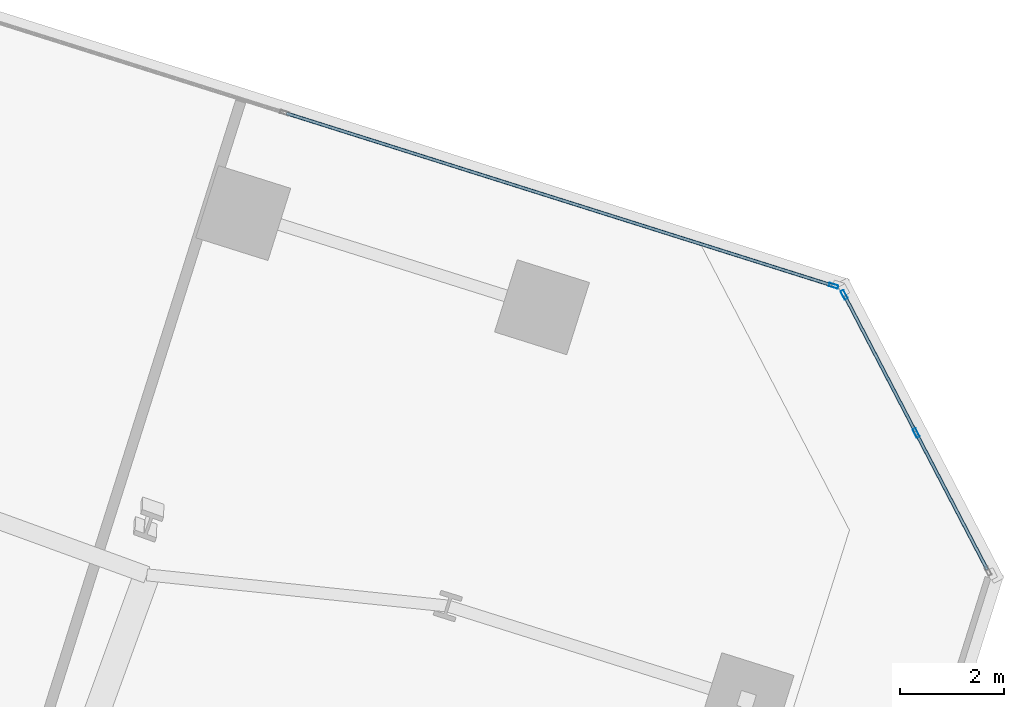
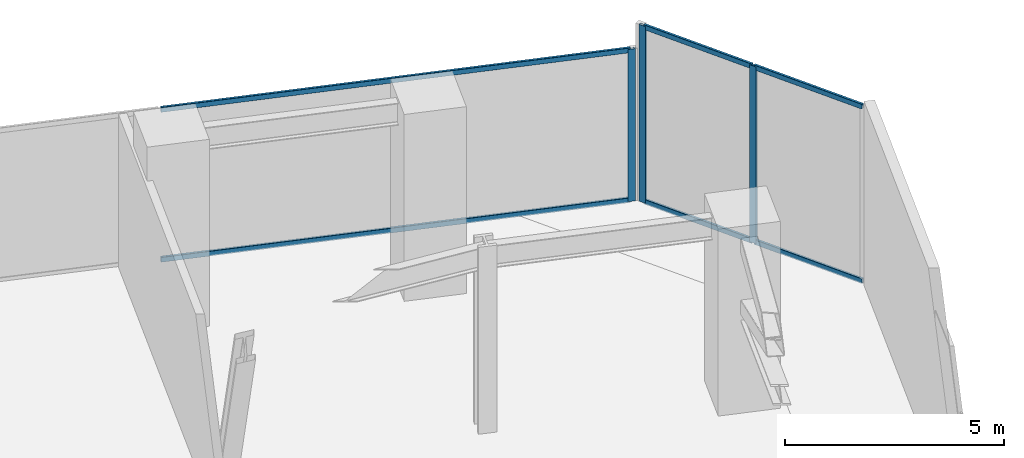
# One storey, part 13 of 29: 9 members, 2 elements without a shape of their own.
"""IFC4 building model written with IfcOpenShell, lengths in metres."""

from ifc_helpers import new_model, si_unit, direction, frame, origin, origin_2d, place, context, subcontext, project, spatial, hollow_rectangle, extrude, source, transform, mapped, material, material_profile, profile_set, type_object, element, aggregate, save


model = new_model("IFC4")

# Units and contexts
model_context = context("Model", 3, precision=1e-05, world=origin(), true_north=direction((0.0, 1.0)))
body_context = subcontext(model_context, "Body", "Model", "MODEL_VIEW")
ifc_project = project(units=[si_unit("LENGTHUNIT", "METRE"), si_unit("AREAUNIT", "SQUARE_METRE"), si_unit("VOLUMEUNIT", "CUBIC_METRE"), si_unit("PLANEANGLEUNIT", "RADIAN"), si_unit("MASSUNIT", "GRAM", prefix="KILO")], contexts=[model_context])

# Site, building, storey
site_placement = place(None, origin())
site = spatial("IfcSite", under=ifc_project, at=site_placement, CompositionType="ELEMENT")
building_placement = place(site_placement, origin())
building = spatial("IfcBuilding", under=site, at=building_placement, Name="Torre Montelarca", CompositionType="ELEMENT")
storey_placement = place(building_placement, frame((0.0, 0.0, 122.199951171875)))
storey = spatial("IfcBuildingStorey", under=building, at=storey_placement, Name="L27", CompositionType="ELEMENT", Elevation=122.199951171875)

# Curtain wall, members
ifc_material_1 = material(Name="Insulated low-E laminated glass", Category="glass")
curtain_wall_type = type_object("IfcCurtainWallType", Name="CW-SYS-Z1", PredefinedType="USERDEFINED", material=ifc_material_1)
curtain_wall_1_placement = place(storey_placement, origin())
curtain_wall_1 = element("IfcCurtainWall", 1, at=curtain_wall_1_placement, inside=storey, type_object=curtain_wall_type, Name="L27 Curtain Wall Run CW-T3-L27-E07-B1", ObjectType="UNITISED GLAZING", PredefinedType="USERDEFINED")
ifc_material_2 = material(Name="Anodised aluminium AA 6063-T6", Category="aluminium")
ifc_material_profile_1 = material_profile(ifc_material_2, hollow_rectangle(XDim=0.06494140625, YDim=0.139892578125, WallThickness=0.00390625, InnerFilletRadius=0.00390625, OuterFilletRadius=0.008056640625, at=origin_2d()), Name="ALU65X140X4", Category="aluminium")
ifc_profile_set_1 = profile_set([ifc_material_profile_1], Name="Anodised aluminium AA 6063-T6")
member_type_1 = type_object("IfcMemberType", Name="CWT-ALU140", PredefinedType="USERDEFINED", material=ifc_profile_set_1)
shared_shape_1 = source(origin(), body_context, "Body", "SweptSolid", [
    extrude(hollow_rectangle(XDim=0.06494140625, YDim=0.139892578125, WallThickness=0.00390625, InnerFilletRadius=0.00390625, OuterFilletRadius=0.008056640625, at=origin_2d()), origin(), (0.0, 0.0, 1.0), 2.9189453125),
])
member_1_placement = place(storey_placement, frame((63.856201171875, 33.19970703125, 0.032470703125), z_axis=(-0.461708234154, 0.887031852029, 0.0), x_axis=(-0.887031852029, -0.461708234154, 0.0)))
member_1 = element("IfcMember", 2, at=member_1_placement, type_object=member_type_1, Name="CW transom 2.1", ObjectType="TRANSOM", PredefinedType="USERDEFINED", context=body_context, shape_type="MappedRepresentation", body=[
    mapped(shared_shape_1, transform((0.0, 0.0, 0.0), scale=1.0)),
])
member_2_placement = place(storey_placement, frame((63.856201171875, 33.19970703125, 4.887451171875), z_axis=(-0.461708234154, 0.887031852029, 0.0), x_axis=(-0.887031852029, -0.461708234154, 0.0)))
member_2 = element("IfcMember", 3, at=member_2_placement, type_object=member_type_1, Name="CW transom 2.2", ObjectType="TRANSOM", PredefinedType="USERDEFINED", context=body_context, shape_type="MappedRepresentation", body=[
    mapped(shared_shape_1, transform((0.0, 0.0, 0.0), scale=1.0)),
])
shared_shape_2 = source(origin(), body_context, "Body", "SweptSolid", [
    extrude(hollow_rectangle(XDim=0.06494140625, YDim=0.139892578125, WallThickness=0.00390625, InnerFilletRadius=0.00390625, OuterFilletRadius=0.008056640625, at=origin_2d()), origin(), (0.0, 0.0, 1.0), 2.918701171875),
])
member_3_placement = place(storey_placement, frame((65.23388671875, 30.55322265625, 0.032470703125), z_axis=(-0.461742492251, 0.887014019534, 0.0), x_axis=(-0.887014019534, -0.461742492251, 0.0)))
member_3 = element("IfcMember", 4, at=member_3_placement, type_object=member_type_1, Name="CW transom 1.1", ObjectType="TRANSOM", PredefinedType="USERDEFINED", context=body_context, shape_type="MappedRepresentation", body=[
    mapped(shared_shape_2, transform((0.0, 0.0, 0.0), scale=1.0)),
])
member_4_placement = place(storey_placement, frame((65.23388671875, 30.55322265625, 4.887451171875), z_axis=(-0.461742492251, 0.887014019534, 0.0), x_axis=(-0.887014019534, -0.461742492251, 0.0)))
member_4 = element("IfcMember", 5, at=member_4_placement, type_object=member_type_1, Name="CW transom 1.2", ObjectType="TRANSOM", PredefinedType="USERDEFINED", context=body_context, shape_type="MappedRepresentation", body=[
    mapped(shared_shape_2, transform((0.0, 0.0, 0.0), scale=1.0)),
])

curtain_wall_2_placement = place(storey_placement, origin())
curtain_wall_2 = element("IfcCurtainWall", 6, at=curtain_wall_2_placement, inside=storey, type_object=curtain_wall_type, Name="L27 Curtain Wall Run CW-T3-L27-E08-B1", ObjectType="UNITISED GLAZING", PredefinedType="USERDEFINED")
shared_shape_3 = source(origin(), body_context, "Body", "SweptSolid", [
    extrude(hollow_rectangle(XDim=0.06494140625, YDim=0.139892578125, WallThickness=0.00390625, InnerFilletRadius=0.00390625, OuterFilletRadius=0.008056640625, at=origin_2d()), origin(), (0.0, 0.0, 1.0), 10.95458984375),
])
member_5_placement = place(storey_placement, frame((62.258056640625, 35.9990234375, 0.032470703125), z_axis=(-0.95372066466, 0.300694020227, 0.0), x_axis=(-0.300694020227, -0.95372066466, 0.0)))
member_5 = element("IfcMember", 7, at=member_5_placement, type_object=member_type_1, Name="CW transom 1.1", ObjectType="TRANSOM", PredefinedType="USERDEFINED", context=body_context, shape_type="MappedRepresentation", body=[
    mapped(shared_shape_3, transform((0.0, 0.0, 0.0), scale=1.0)),
])
member_6_placement = place(storey_placement, frame((62.258056640625, 35.9990234375, 4.20263671875), z_axis=(-0.95372066466, 0.300694020227, 0.0), x_axis=(-0.300694020227, -0.95372066466, 0.0)))
member_6 = element("IfcMember", 8, at=member_6_placement, type_object=member_type_1, Name="CW transom 1.2", ObjectType="TRANSOM", PredefinedType="USERDEFINED", context=body_context, shape_type="MappedRepresentation", body=[
    mapped(shared_shape_3, transform((0.0, 0.0, 0.0), scale=1.0)),
])

# Member
ifc_material_profile_2 = material_profile(ifc_material_2, hollow_rectangle(XDim=0.06494140625, YDim=0.179931640625, WallThickness=0.00390625, InnerFilletRadius=0.00390625, OuterFilletRadius=0.008056640625, at=origin_2d()), Name="ALU65X180X4", Category="aluminium")
ifc_profile_set_2 = profile_set([ifc_material_profile_2], Name="Anodised aluminium AA 6063-T6")
member_type_2 = type_object("IfcMemberType", Name="CWM-ALU180", PredefinedType="MULLION", material=ifc_profile_set_2)
shared_shape_4 = source(origin(), body_context, "Body", "SweptSolid", [
    extrude(hollow_rectangle(XDim=0.06494140625, YDim=0.179931640625, WallThickness=0.00390625, InnerFilletRadius=0.00390625, OuterFilletRadius=0.008056640625, at=origin_2d()), origin(), (0.0, 0.0, 1.0), 4.920166015625),
])
member_7_placement = place(storey_placement, frame((63.871337890625, 33.1708984375, 0.0), z_axis=(0.0, 0.0, 1.0), x_axis=(-0.887014239788, -0.461742069139, 0.0)))
member_7 = element("IfcMember", 9, at=member_7_placement, type_object=member_type_2, Name="CW mullion 2", PredefinedType="MULLION", context=body_context, shape_type="MappedRepresentation", body=[
    mapped(shared_shape_4, transform((0.0, 0.0, 0.0), scale=1.0)),
])

member_8_placement = place(storey_placement, frame((62.49365234375, 35.817626953125, 0.0), z_axis=(0.0, 0.0, 1.0), x_axis=(-0.887014239788, -0.461742069139, 0.0)))
member_8 = element("IfcMember", 10, at=member_8_placement, type_object=member_type_2, Name="CW mullion 3", PredefinedType="MULLION", context=body_context, shape_type="MappedRepresentation", body=[
    mapped(shared_shape_4, transform((0.0, 0.0, 0.0), scale=1.0)),
])

aggregate(curtain_wall_1, [member_7, member_8, member_3, member_4, member_1, member_2])

shared_shape_5 = source(origin(), body_context, "Body", "SweptSolid", [
    extrude(hollow_rectangle(XDim=0.06494140625, YDim=0.179931640625, WallThickness=0.00390625, InnerFilletRadius=0.00390625, OuterFilletRadius=0.008056640625, at=origin_2d()), origin(), (0.0, 0.0, 1.0), 4.235107421875),
])
member_9_placement = place(storey_placement, frame((62.2890625, 35.9892578125, 0.0), z_axis=(0.0, 0.0, 1.0), x_axis=(-0.300702638073, -0.953717947538, 0.0)))
member_9 = element("IfcMember", 11, at=member_9_placement, type_object=member_type_2, Name="CW mullion 1", PredefinedType="MULLION", context=body_context, shape_type="MappedRepresentation", body=[
    mapped(shared_shape_5, transform((0.0, 0.0, 0.0), scale=1.0)),
])

aggregate(curtain_wall_2, [member_9, member_5, member_6])

save(model, "model.ifc")
